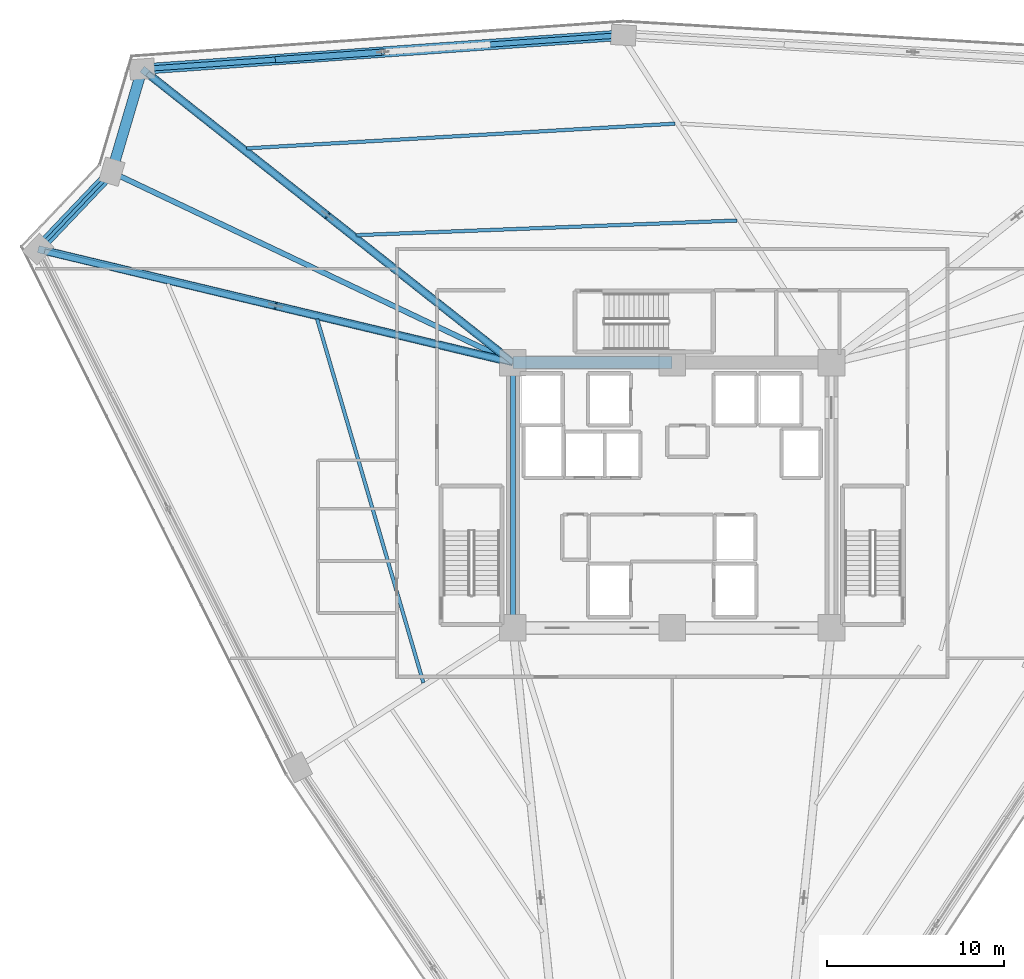
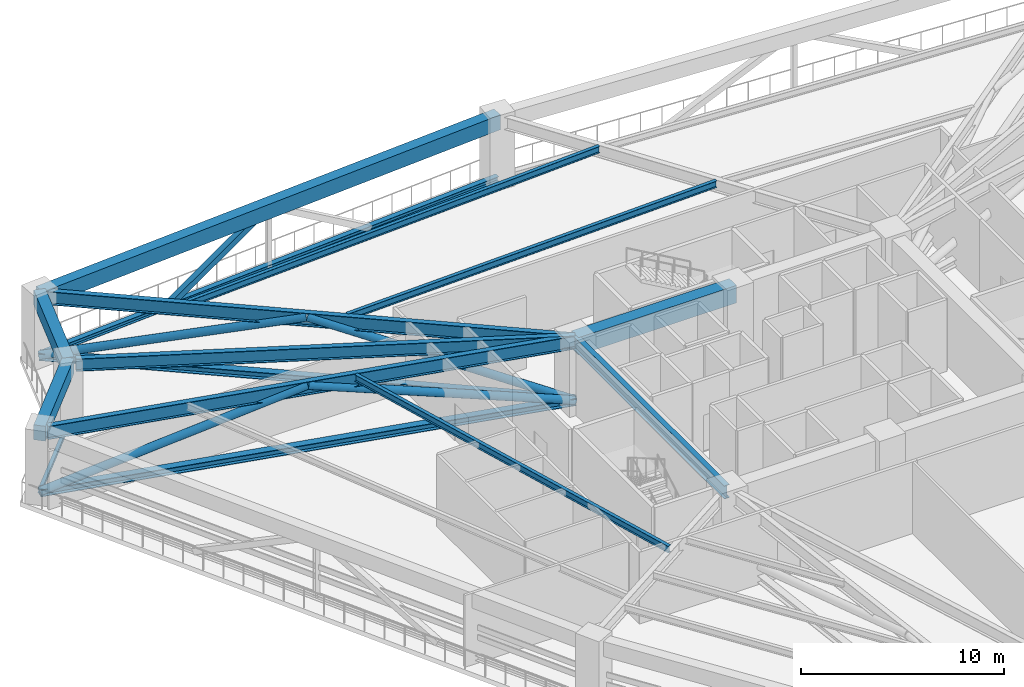
# One storey, part 6 of 23: 11 beams, 9 members.
"""IFC4 building model written with IfcOpenShell, lengths in metres."""

from ifc_helpers import new_model, si_unit, direction, frame, origin, origin_2d, place, context, subcontext, project, spatial, rectangle, hollow_rectangle, hollow_circle, i_section, extrude, source, transform, mapped, material, material_profile, profile_set, type_object, element, save


model = new_model("IFC4")

# Units and contexts
model_context = context("Model", 3, precision=1e-05, world=origin(), true_north=direction((0.0, 1.0)))
body_context = subcontext(model_context, "Body", "Model", "MODEL_VIEW")
ifc_project = project(units=[si_unit("LENGTHUNIT", "METRE"), si_unit("AREAUNIT", "SQUARE_METRE"), si_unit("VOLUMEUNIT", "CUBIC_METRE"), si_unit("PLANEANGLEUNIT", "RADIAN"), si_unit("MASSUNIT", "GRAM", prefix="KILO")], contexts=[model_context])

# Site, building, storey
site_placement = place(None, origin())
site = spatial("IfcSite", under=ifc_project, at=site_placement, CompositionType="ELEMENT")
building_placement = place(site_placement, origin())
building = spatial("IfcBuilding", under=site, at=building_placement, Name="Liaohun Quay Tower", CompositionType="ELEMENT")
storey_placement = place(building_placement, frame((0.0, 0.0, 139.5)))
storey = spatial("IfcBuildingStorey", under=building, at=storey_placement, Name="L36", CompositionType="ELEMENT", Elevation=139.5)

# Beams
ifc_material_1 = material(Name="Concrete C60", Category="concrete")
ifc_material_profile_1 = material_profile(ifc_material_1, rectangle(XDim=0.699951171875, YDim=1.050048828125, at=origin_2d()), Name="RC700x1050")
ifc_profile_set_1 = profile_set([ifc_material_profile_1], Name="Concrete C60")
beam_type_1 = type_object("IfcBeamType", Name="BM-CPL-1", PredefinedType="LINTEL", material=ifc_profile_set_1)
shared_shape_1 = source(origin(), body_context, "Body", "SweptSolid", [
    extrude(rectangle(XDim=0.699951171875, YDim=1.050048828125, at=origin_2d()), origin(), (0.0, 0.0, 1.0), 9.0),
])
beam_1_placement = place(storey_placement, frame((60.0, 61.5, 3.794921875), z_axis=(-1.0, 0.0, 0.0), x_axis=(0.0, -1.0, 0.0)))
element("IfcBeam", 1, at=beam_1_placement, inside=storey, type_object=beam_type_1, Name="L36 Core Coupling/Ring Beam CC5-CC6", PredefinedType="LINTEL", context=body_context, shape_type="MappedRepresentation", body=[
    mapped(shared_shape_1, transform((0.0, 0.0, 0.0), x_axis=(1.0, 0.0, 0.0), y_axis=(0.0, 1.0, 0.0), z_axis=(0.0, 0.0, 1.0), scale=1.0)),
])
ifc_material_2 = material(Name="Steel Q355D", Category="steel")
ifc_material_profile_2 = material_profile(ifc_material_2, i_section(OverallWidth=0.300048828125, OverallDepth=0.800048828125, WebThickness=0.013916015625, FlangeThickness=0.02587890625, at=origin_2d()), Name="HN800x300x14x26")
ifc_profile_set_2 = profile_set([ifc_material_profile_2], Name="Steel Q355D")
beam_type_2 = type_object("IfcBeamType", Name="BM-RAD-M1", PredefinedType="BEAM", material=ifc_profile_set_2)
shared_shape_2 = source(origin(), body_context, "Body", "SweptSolid", [
    extrude(i_section(OverallWidth=0.300048828125, OverallDepth=0.800048828125, WebThickness=0.013916015625, FlangeThickness=0.02587890625, at=origin_2d()), origin(), (0.0, 0.0, 1.0), 15.0),
])
beam_2_placement = place(storey_placement, frame((51.0, 61.5, 3.919921875), z_axis=(0.0, -1.0, 0.0), x_axis=(1.0, 0.0, 0.0)))
element("IfcBeam", 2, at=beam_2_placement, inside=storey, type_object=beam_type_2, Name="L36 Core Coupling/Ring Beam CC6-CC1", PredefinedType="BEAM", context=body_context, shape_type="MappedRepresentation", body=[
    mapped(shared_shape_2, transform((0.0, 0.0, 0.0), x_axis=(1.0, 0.0, 0.0), y_axis=(0.0, 1.0, 0.0), z_axis=(0.0, 0.0, 1.0), scale=1.0)),
])
ifc_material_3 = material(Name="Precast concrete C55", Category="concrete")
ifc_material_profile_3 = material_profile(ifc_material_3, rectangle(XDim=0.60009765625, YDim=0.89990234375, at=origin_2d()), Name="RC600x900")
ifc_profile_set_3 = profile_set([ifc_material_profile_3], Name="Precast concrete C55")
beam_type_3 = type_object("IfcBeamType", Name="BM-SPD-Z2", PredefinedType="SPANDREL", material=ifc_profile_set_3)
shared_shape_3 = source(origin(), body_context, "Body", "SweptSolid", [
    extrude(rectangle(XDim=0.60009765625, YDim=0.89990234375, at=origin_2d()), origin(), (0.0, 0.0, 1.0), 6.037841796875),
])
beam_3_placement = place(storey_placement, frame((24.1708984375, 67.908935546875, 3.8701171875), z_axis=(0.689340087254, 0.724437881467, 0.0), x_axis=(-0.724437881467, 0.689340087254, 0.0)))
element("IfcBeam", 3, at=beam_3_placement, inside=storey, type_object=beam_type_3, Name="L36 Precast Spandrel Beam PC03-PC04", PredefinedType="SPANDREL", context=body_context, shape_type="MappedRepresentation", body=[
    mapped(shared_shape_3, transform((0.0, 0.0, 0.0), x_axis=(1.0, 0.0, 0.0), y_axis=(0.0, 1.0, 0.0), z_axis=(0.0, 0.0, 1.0), scale=1.0)),
])
shared_shape_4 = source(origin(), body_context, "Body", "SweptSolid", [
    extrude(rectangle(XDim=0.60009765625, YDim=0.89990234375, at=origin_2d()), origin(), (0.0, 0.0, 1.0), 6.0458984375),
])
beam_4_placement = place(storey_placement, frame((28.3330078125, 72.282958984375, 3.8701171875), z_axis=(0.282828685548, 0.959170440866, 0.0), x_axis=(-0.959170440866, 0.282828685548, 0.0)))
element("IfcBeam", 4, at=beam_4_placement, inside=storey, type_object=beam_type_3, Name="L36 Precast Spandrel Beam PC04-PC05", PredefinedType="SPANDREL", context=body_context, shape_type="MappedRepresentation", body=[
    mapped(shared_shape_4, transform((0.0, 0.0, 0.0), x_axis=(1.0, 0.0, 0.0), y_axis=(0.0, 1.0, 0.0), z_axis=(0.0, 0.0, 1.0), scale=1.0)),
])
shared_shape_5 = source(origin(), body_context, "Body", "SweptSolid", [
    extrude(rectangle(XDim=0.60009765625, YDim=0.89990234375, at=origin_2d()), origin(), (0.0, 0.0, 1.0), 27.27490234375),
])
beam_5_placement = place(storey_placement, frame((30.04296875, 78.08203125, 3.8701171875), z_axis=(0.99751437062, 0.070463326683, 0.0), x_axis=(-0.070463326683, 0.99751437062, 0.0)))
element("IfcBeam", 5, at=beam_5_placement, inside=storey, type_object=beam_type_3, Name="L36 Precast Spandrel Beam PC05-PC06", PredefinedType="SPANDREL", context=body_context, shape_type="MappedRepresentation", body=[
    mapped(shared_shape_5, transform((0.0, 0.0, 0.0), x_axis=(1.0, 0.0, 0.0), y_axis=(0.0, 1.0, 0.0), z_axis=(0.0, 0.0, 1.0), scale=1.0)),
])
shared_shape_6 = source(origin(), body_context, "Body", "SweptSolid", [
    extrude(i_section(OverallWidth=0.300048828125, OverallDepth=0.800048828125, WebThickness=0.013916015625, FlangeThickness=0.02587890625, at=origin_2d()), origin(), (0.0, 0.0, 1.0), 27.199462890625),
])
beam_6_placement = place(storey_placement, frame((51.0, 61.5, 3.919921875), z_axis=(-0.973067837534, 0.230518944032, 0.0), x_axis=(-0.230518944032, -0.973067837534, 0.0)))
element("IfcBeam", 6, at=beam_6_placement, inside=storey, type_object=beam_type_2, Name="L36 Radial Primary Girder CC6-PC03", PredefinedType="BEAM", context=body_context, shape_type="MappedRepresentation", body=[
    mapped(shared_shape_6, transform((0.0, 0.0, 0.0), x_axis=(1.0, 0.0, 0.0), y_axis=(0.0, 1.0, 0.0), z_axis=(0.0, 0.0, 1.0), scale=1.0)),
])
ifc_material_profile_4 = material_profile(ifc_material_2, i_section(OverallWidth=0.300048828125, OverallDepth=0.75, WebThickness=0.013916015625, FlangeThickness=0.02587890625, at=origin_2d()), Name="HN750x300x14x26")
ifc_profile_set_4 = profile_set([ifc_material_profile_4], Name="Steel Q355D")
beam_type_4 = type_object("IfcBeamType", Name="BM-RAD-M2", PredefinedType="BEAM", material=ifc_profile_set_4)
shared_shape_7 = source(origin(), body_context, "Body", "SweptSolid", [
    extrude(i_section(OverallWidth=0.300048828125, OverallDepth=0.75, WebThickness=0.013916015625, FlangeThickness=0.02587890625, at=origin_2d()), origin(), (0.0, 0.0, 1.0), 24.73388671875),
])
beam_7_placement = place(storey_placement, frame((51.0, 61.5, 3.945068359375), z_axis=(-0.903530113881, 0.428524600588, 0.0), x_axis=(-0.428524600588, -0.903530113881, 0.0)))
element("IfcBeam", 7, at=beam_7_placement, inside=storey, type_object=beam_type_4, Name="L36 Radial Primary Girder CC6-PC04", PredefinedType="BEAM", context=body_context, shape_type="MappedRepresentation", body=[
    mapped(shared_shape_7, transform((0.0, 0.0, 0.0), x_axis=(1.0, 0.0, 0.0), y_axis=(0.0, 1.0, 0.0), z_axis=(0.0, 0.0, 1.0), scale=1.0)),
])
shared_shape_8 = source(origin(), body_context, "Body", "SweptSolid", [
    extrude(i_section(OverallWidth=0.300048828125, OverallDepth=0.800048828125, WebThickness=0.013916015625, FlangeThickness=0.02587890625, at=origin_2d()), origin(), (0.0, 0.0, 1.0), 26.335693359375),
])
beam_8_placement = place(storey_placement, frame((51.0, 61.5, 3.919921875), z_axis=(-0.784336918356, 0.620335069542, 0.0), x_axis=(-0.620335069542, -0.784336918356, 0.0)))
element("IfcBeam", 8, at=beam_8_placement, inside=storey, type_object=beam_type_2, Name="L36 Radial Primary Girder CC6-PC05", PredefinedType="BEAM", context=body_context, shape_type="MappedRepresentation", body=[
    mapped(shared_shape_8, transform((0.0, 0.0, 0.0), x_axis=(1.0, 0.0, 0.0), y_axis=(0.0, 1.0, 0.0), z_axis=(0.0, 0.0, 1.0), scale=1.0)),
])
ifc_material_profile_5 = material_profile(ifc_material_2, i_section(OverallWidth=0.199951171875, OverallDepth=0.39990234375, WebThickness=0.008056640625, FlangeThickness=0.012939453125, at=origin_2d()), Name="HN400x200x8x13")
ifc_profile_set_5 = profile_set([ifc_material_profile_5], Name="Steel Q355D")
beam_type_5 = type_object("IfcBeamType", Name="BM-SEC-J2", PredefinedType="JOIST", material=ifc_profile_set_5)
shared_shape_9 = source(origin(), body_context, "Body", "SweptSolid", [
    extrude(i_section(OverallWidth=0.199951171875, OverallDepth=0.39990234375, WebThickness=0.008056640625, FlangeThickness=0.012939453125, at=origin_2d()), origin(), (0.0, 0.0, 1.0), 21.425537109375),
])
beam_9_placement = place(storey_placement, frame((45.93994140625, 43.402099609375, 4.1201171875), z_axis=(-0.280415657574, 0.959878668889, 0.0), x_axis=(-0.959878668889, -0.280415657574, 0.0)))
element("IfcBeam", 9, at=beam_9_placement, inside=storey, type_object=beam_type_5, Name="L36 Wing Secondary Floor Joist SJ-04", PredefinedType="JOIST", context=body_context, shape_type="MappedRepresentation", body=[
    mapped(shared_shape_9, transform((0.0, 0.0, 0.0), x_axis=(1.0, 0.0, 0.0), y_axis=(0.0, 1.0, 0.0), z_axis=(0.0, 0.0, 1.0), scale=1.0)),
])
shared_shape_10 = source(origin(), body_context, "Body", "SweptSolid", [
    extrude(i_section(OverallWidth=0.199951171875, OverallDepth=0.39990234375, WebThickness=0.008056640625, FlangeThickness=0.012939453125, at=origin_2d()), origin(), (0.0, 0.0, 1.0), 21.541748046875),
])
beam_10_placement = place(storey_placement, frame((42.14208984375, 68.697021484375, 4.1201171875), z_axis=(0.999261241592, 0.038431381085, 0.0), x_axis=(-0.038431381085, 0.999261241592, 0.0)))
element("IfcBeam", 10, at=beam_10_placement, inside=storey, type_object=beam_type_5, Name="L36 Wing Secondary Floor Joist SJ-06", PredefinedType="JOIST", context=body_context, shape_type="MappedRepresentation", body=[
    mapped(shared_shape_10, transform((0.0, 0.0, 0.0), x_axis=(1.0, 0.0, 0.0), y_axis=(0.0, 1.0, 0.0), z_axis=(0.0, 0.0, 1.0), scale=1.0)),
])
shared_shape_11 = source(origin(), body_context, "Body", "SweptSolid", [
    extrude(i_section(OverallWidth=0.199951171875, OverallDepth=0.39990234375, WebThickness=0.008056640625, FlangeThickness=0.012939453125, at=origin_2d()), origin(), (0.0, 0.0, 1.0), 24.25439453125),
])
beam_11_placement = place(storey_placement, frame((35.93994140625, 73.60205078125, 4.1201171875), z_axis=(0.998342244931, 0.057556598104, 0.0), x_axis=(-0.057556598104, 0.998342244931, 0.0)))
element("IfcBeam", 11, at=beam_11_placement, inside=storey, type_object=beam_type_5, Name="L36 Wing Secondary Floor Joist SJ-07", PredefinedType="JOIST", context=body_context, shape_type="MappedRepresentation", body=[
    mapped(shared_shape_11, transform((0.0, 0.0, 0.0), x_axis=(1.0, 0.0, 0.0), y_axis=(0.0, 1.0, 0.0), z_axis=(0.0, 0.0, 1.0), scale=1.0)),
])

# Members
ifc_material_4 = material(Name="Steel Q420D", Category="steel")
ifc_material_profile_6 = material_profile(ifc_material_4, i_section(OverallWidth=0.405029296875, OverallDepth=0.4140625, WebThickness=0.01806640625, FlangeThickness=0.028076171875, at=origin_2d()), Name="HW414x405x18x28")
ifc_profile_set_6 = profile_set([ifc_material_profile_6], Name="Steel Q420D")
member_type_1 = type_object("IfcMemberType", Name="MEM-OUT-CHD", PredefinedType="CHORD", material=ifc_profile_set_6)
shared_shape_12 = source(origin(), body_context, "Body", "SweptSolid", [
    extrude(i_section(OverallWidth=0.405029296875, OverallDepth=0.4140625, WebThickness=0.01806640625, FlangeThickness=0.028076171875, at=origin_2d()), origin(), (0.0, 0.0, 1.0), 27.583984375),
])
member_1_placement = place(storey_placement, frame((51.0, 61.5, 0.35009765625), z_axis=(-0.972633963366, 0.232342792672, 0.0), x_axis=(-0.232342792672, -0.972633963366, 0.0)))
element("IfcMember", 12, at=member_1_placement, inside=storey, type_object=member_type_1, Name="L36 Outrigger Bottom Chord OC-02", PredefinedType="CHORD", context=body_context, shape_type="MappedRepresentation", body=[
    mapped(shared_shape_12, transform((0.0, 0.0, 0.0), x_axis=(1.0, 0.0, 0.0), y_axis=(0.0, 1.0, 0.0), z_axis=(0.0, 0.0, 1.0), scale=1.0)),
])
ifc_material_profile_7 = material_profile(ifc_material_4, hollow_circle(Radius=0.228515625, WallThickness=0.02001953125, at=origin_2d()), Name="CHS457x20")
ifc_profile_set_7 = profile_set([ifc_material_profile_7], Name="Steel Q420D")
member_type_2 = type_object("IfcMemberType", Name="MEM-OUT-DG1", PredefinedType="BRACE", material=ifc_profile_set_7)
shared_shape_13 = source(origin(), body_context, "Body", "SweptSolid", [
    extrude(hollow_circle(Radius=0.228515625, WallThickness=0.02001953125, at=origin_2d()), origin(), (0.0, 0.0, 1.0), 14.272216796875),
])
member_2_placement = place(storey_placement, frame((51.0, 61.5, 0.35009765625), z_axis=(-0.939936904496, 0.224498288102, 0.257136411669), x_axis=(-0.232309673819, -0.972641874201, 0.0)))
element("IfcMember", 13, at=member_2_placement, inside=storey, type_object=member_type_2, Name="L36 Outrigger Diagonal OD-02A", PredefinedType="BRACE", context=body_context, shape_type="MappedRepresentation", body=[
    mapped(shared_shape_13, transform((0.0, 0.0, 0.0), x_axis=(1.0, 0.0, 0.0), y_axis=(0.0, 1.0, 0.0), z_axis=(0.0, 0.0, 1.0), scale=1.0)),
])
shared_shape_14 = source(origin(), body_context, "Body", "SweptSolid", [
    extrude(hollow_circle(Radius=0.228515625, WallThickness=0.02001953125, at=origin_2d()), origin(), (0.0, 0.0, 1.0), 14.271484375),
])
member_3_placement = place(storey_placement, frame((37.5849609375, 64.7041015625, 4.02001953125), z_axis=(-0.939918099949, 0.224561460724, -0.257149986867), x_axis=(-0.232375913128, -0.972626050956, 0.0)))
element("IfcMember", 14, at=member_3_placement, inside=storey, type_object=member_type_2, Name="L36 Outrigger Diagonal OD-02B", PredefinedType="BRACE", context=body_context, shape_type="MappedRepresentation", body=[
    mapped(shared_shape_14, transform((0.0, 0.0, 0.0), x_axis=(1.0, 0.0, 0.0), y_axis=(0.0, 1.0, 0.0), z_axis=(0.0, 0.0, 1.0), scale=1.0)),
])
shared_shape_15 = source(origin(), body_context, "Body", "SweptSolid", [
    extrude(i_section(OverallWidth=0.405029296875, OverallDepth=0.4140625, WebThickness=0.01806640625, FlangeThickness=0.028076171875, at=origin_2d()), origin(), (0.0, 0.0, 1.0), 26.723876953125),
])
member_4_placement = place(storey_placement, frame((51.0, 61.5, 0.35009765625), z_axis=(-0.784208816597, 0.620497003999, 0.0), x_axis=(-0.620497003999, -0.784208816597, 0.0)))
element("IfcMember", 15, at=member_4_placement, inside=storey, type_object=member_type_1, Name="L36 Outrigger Bottom Chord OC-03", PredefinedType="CHORD", context=body_context, shape_type="MappedRepresentation", body=[
    mapped(shared_shape_15, transform((0.0, 0.0, 0.0), x_axis=(1.0, 0.0, 0.0), y_axis=(0.0, 1.0, 0.0), z_axis=(0.0, 0.0, 1.0), scale=1.0)),
])
shared_shape_16 = source(origin(), body_context, "Body", "SweptSolid", [
    extrude(hollow_circle(Radius=0.228515625, WallThickness=0.02001953125, at=origin_2d()), origin(), (0.0, 0.0, 1.0), 13.8564453125),
])
member_5_placement = place(storey_placement, frame((51.0, 61.5, 0.35009765625), z_axis=(-0.756189789529, 0.598355124945, 0.26485495401), x_axis=(-0.620514786054, -0.784194746404, 0.0)))
element("IfcMember", 16, at=member_5_placement, inside=storey, type_object=member_type_2, Name="L36 Outrigger Diagonal OD-03A", PredefinedType="BRACE", context=body_context, shape_type="MappedRepresentation", body=[
    mapped(shared_shape_16, transform((0.0, 0.0, 0.0), x_axis=(1.0, 0.0, 0.0), y_axis=(0.0, 1.0, 0.0), z_axis=(0.0, 0.0, 1.0), scale=1.0)),
])
shared_shape_17 = source(origin(), body_context, "Body", "SweptSolid", [
    extrude(hollow_circle(Radius=0.228515625, WallThickness=0.02001953125, at=origin_2d()), origin(), (0.0, 0.0, 1.0), 13.857177734375),
])
member_6_placement = place(storey_placement, frame((40.52197265625, 69.791015625, 4.02001953125), z_axis=(-0.756219964019, 0.59832323699, -0.264840839177), x_axis=(-0.620479222643, -0.78422288558, 0.0)))
element("IfcMember", 17, at=member_6_placement, inside=storey, type_object=member_type_2, Name="L36 Outrigger Diagonal OD-03B", PredefinedType="BRACE", context=body_context, shape_type="MappedRepresentation", body=[
    mapped(shared_shape_17, transform((0.0, 0.0, 0.0), x_axis=(1.0, 0.0, 0.0), y_axis=(0.0, 1.0, 0.0), z_axis=(0.0, 0.0, 1.0), scale=1.0)),
])
ifc_material_profile_8 = material_profile(ifc_material_2, hollow_rectangle(XDim=0.35009765625, YDim=0.35009765625, WallThickness=0.01611328125, at=origin_2d()), Name="SHS350x350x16")
ifc_profile_set_8 = profile_set([ifc_material_profile_8], Name="Steel Q355D")
member_type_3 = type_object("IfcMemberType", Name="MEM-BLT-DG2", PredefinedType="BRACE", material=ifc_profile_set_8)
shared_shape_18 = source(origin(), body_context, "Body", "SweptSolid", [
    extrude(hollow_rectangle(XDim=0.35009765625, YDim=0.35009765625, WallThickness=0.01611328125, at=origin_2d()), origin(), (0.0, 0.0, 1.0), 7.0341796875),
])
member_7_placement = place(storey_placement, frame((37.660888671875, 78.6201171875, 0.35009765625), z_axis=(0.850994014497, 0.060113448065, 0.521723643946), x_axis=(-0.07046351267, 0.997514357482, 0.0)))
element("IfcMember", 18, at=member_7_placement, inside=storey, type_object=member_type_3, Name="L36 Belt Truss Diagonal BD-03A", PredefinedType="BRACE", context=body_context, shape_type="MappedRepresentation", body=[
    mapped(shared_shape_18, transform((0.0, 0.0, 0.0), x_axis=(1.0, 0.0, 0.0), y_axis=(0.0, 1.0, 0.0), z_axis=(0.0, 0.0, 1.0), scale=1.0)),
])
ifc_material_profile_9 = material_profile(ifc_material_2, i_section(OverallWidth=0.300048828125, OverallDepth=0.300048828125, WebThickness=0.010009765625, FlangeThickness=0.014892578125, at=origin_2d()), Name="HW300x300x10x15")
ifc_profile_set_9 = profile_set([ifc_material_profile_9], Name="Steel Q355D")
member_type_4 = type_object("IfcMemberType", Name="MEM-BLT-CHD", PredefinedType="CHORD", material=ifc_profile_set_9)
shared_shape_19 = source(origin(), body_context, "Body", "SweptSolid", [
    extrude(i_section(OverallWidth=0.300048828125, OverallDepth=0.300048828125, WebThickness=0.010009765625, FlangeThickness=0.014892578125, at=origin_2d()), origin(), (0.0, 0.0, 1.0), 27.27490234375),
])
member_8_placement = place(storey_placement, frame((30.04296875, 78.08203125, 0.35009765625), z_axis=(0.99751437062, 0.070463326683, 0.0), x_axis=(-0.070463326683, 0.99751437062, 0.0)))
element("IfcMember", 19, at=member_8_placement, inside=storey, type_object=member_type_4, Name="L36 Belt Truss Bottom Chord BC-1-03", PredefinedType="CHORD", context=body_context, shape_type="MappedRepresentation", body=[
    mapped(shared_shape_19, transform((0.0, 0.0, 0.0), x_axis=(1.0, 0.0, 0.0), y_axis=(0.0, 1.0, 0.0), z_axis=(0.0, 0.0, 1.0), scale=1.0)),
])
ifc_material_profile_10 = material_profile(ifc_material_2, i_section(OverallWidth=0.199951171875, OverallDepth=0.199951171875, WebThickness=0.008056640625, FlangeThickness=0.011962890625, at=origin_2d()), Name="HW200x200x8x12")
ifc_profile_set_10 = profile_set([ifc_material_profile_10], Name="Steel Q355D")
member_type_5 = type_object("IfcMemberType", Name="MEM-HDR-TRM", PredefinedType="STUD", material=ifc_profile_set_10)
shared_shape_20 = source(origin(), body_context, "Body", "SweptSolid", [
    extrude(i_section(OverallWidth=0.199951171875, OverallDepth=0.199951171875, WebThickness=0.008056640625, FlangeThickness=0.011962890625, at=origin_2d()), origin(), (0.0, 0.0, 1.0), 6.037841796875),
])
member_9_placement = place(storey_placement, frame((24.1708984375, 67.908935546875, 0.35009765625), z_axis=(0.689340087254, 0.724437881467, 0.0), x_axis=(-0.724437881467, 0.689340087254, 0.0)))
element("IfcMember", 20, at=member_9_placement, inside=storey, type_object=member_type_5, Name="L36 Refuge Notch Header Tie Stud HT-1-01", PredefinedType="STUD", context=body_context, shape_type="MappedRepresentation", body=[
    mapped(shared_shape_20, transform((0.0, 0.0, 0.0), x_axis=(1.0, 0.0, 0.0), y_axis=(0.0, 1.0, 0.0), z_axis=(0.0, 0.0, 1.0), scale=1.0)),
])

save(model, "model.ifc")
